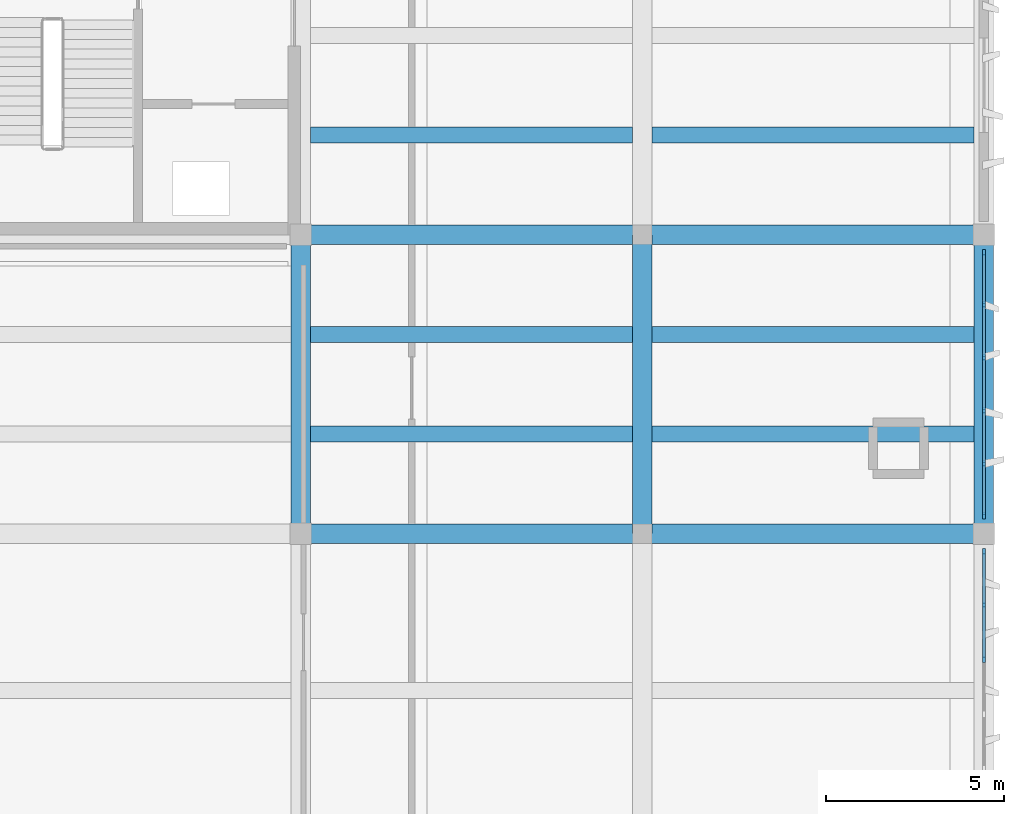
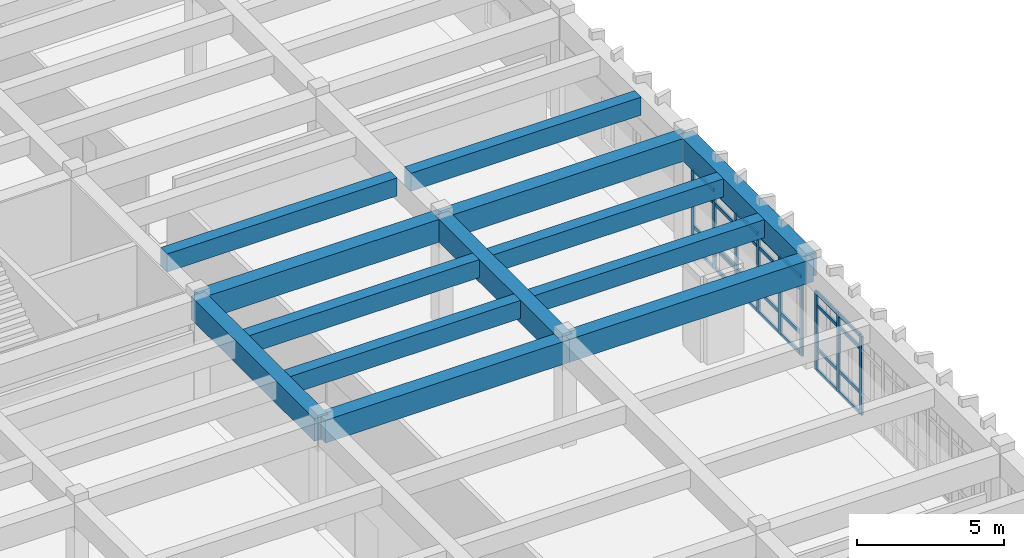
# One storey, part 38 of 86: 37 members, 13 beams, 2 elements without a shape of their own.
"""IFC4 building model written with IfcOpenShell, lengths in metres."""

import ifcopenshell
import ifcopenshell.guid

model = None  # the IFC model being written
_history = None  # IfcOwnerHistory: only IFC2X3 demands one
_inside = {}  # id of a spatial element -> (the spatial element, [elements in it])
_under = {}  # id of a project, library or spatial element -> (it, [spatial elements below it])
_declared = {}  # id of a project -> (the project, [libraries it declares])
_typed = {}  # id of a type object -> (the type object, [elements of that type])
_made_of = {}  # id of a material, layer set ... -> (it, [elements and type objects made of it])


def new_model(schema):
    """Start an empty IFC model of exactly this schema.

    Asked for "IFC4X3", IfcOpenShell would pick the latest addendum, in which some entities
    have other attributes; the version numbers below select the first issue.
    IFC2X3 requires an IfcOwnerHistory on every rooted entity: one is made here for all.
    """
    global model, _history
    if schema == "IFC4X3":
        model = ifcopenshell.file(schema_version=(4, 3, 0, 0))
    else:
        model = ifcopenshell.file(schema=schema)
    _inside.clear()
    _under.clear()
    _declared.clear()
    _typed.clear()
    _made_of.clear()
    _history = None
    if model.schema == "IFC2X3":
        org = make("IfcOrganization", Name="unknown")
        user = make(
            "IfcPersonAndOrganization",
            ThePerson=make("IfcPerson", FamilyName="unknown"),
            TheOrganization=org,
        )
        app = make(
            "IfcApplication",
            ApplicationDeveloper=org,
            Version="unknown",
            ApplicationFullName="unknown",
            ApplicationIdentifier="unknown",
        )
        _history = make(
            "IfcOwnerHistory",
            OwningUser=user,
            OwningApplication=app,
            ChangeAction="ADDED",
            CreationDate=0,
        )
    return model


def make(cls, **values):
    """One entity of the class cls with the attributes given. An attribute that is None is left unset."""
    return model.create_entity(
        cls, **{name: value for name, value in values.items() if value is not None}
    )


def rooted(cls, **values):
    """An entity with a GlobalId (a new one), such as an element, a storey or a relation."""
    return make(cls, GlobalId=ifcopenshell.guid.new(), OwnerHistory=_history, **values)


def si_unit(unit_type, name, prefix=None):
    """IfcSIUnit, for example si_unit("LENGTHUNIT", "METRE", prefix="MILLI")."""
    return make("IfcSIUnit", UnitType=unit_type, Prefix=prefix, Name=name)


def assignment(units):
    """IfcUnitAssignment: the units of a project."""
    return None if units is None else make("IfcUnitAssignment", Units=units)


def point(xyz):
    """IfcCartesianPoint."""
    return None if xyz is None else make("IfcCartesianPoint", Coordinates=xyz)


def direction(xyz):
    """IfcDirection."""
    return None if xyz is None else make("IfcDirection", DirectionRatios=xyz)


def frame(location, z_axis=None, x_axis=None):
    """IfcAxis2Placement3D, a coordinate frame: its origin and axes. An axis left out is left unset."""
    return make(
        "IfcAxis2Placement3D",
        Location=point(location),
        Axis=direction(z_axis),
        RefDirection=direction(x_axis),
    )


def frame_2d(location, x_axis=None):
    """IfcAxis2Placement2D, a coordinate frame in the plane: its origin and x axis."""
    return make(
        "IfcAxis2Placement2D", Location=point(location), RefDirection=direction(x_axis)
    )


def origin():
    """The frame at (0, 0, 0) with its axes left unset."""
    return frame((0.0, 0.0, 0.0))


def origin_2d():
    """The frame at (0, 0) in the plane with its x axis left unset."""
    return frame_2d((0.0, 0.0))


def place(relative_to, where):
    """IfcLocalPlacement: puts the frame where relative to a parent placement (None: the world)."""
    return make(
        "IfcLocalPlacement", PlacementRelTo=relative_to, RelativePlacement=where
    )


def context(
    kind, dimensions, precision=None, world=None, true_north=None, identifier=None
):
    """IfcGeometricRepresentationContext, for example the 3D "Model" context."""
    return make(
        "IfcGeometricRepresentationContext",
        ContextIdentifier=identifier,
        ContextType=kind,
        CoordinateSpaceDimension=dimensions,
        Precision=precision,
        WorldCoordinateSystem=world,
        TrueNorth=true_north,
    )


def subcontext(parent, identifier, kind, view, scale=None):
    """IfcGeometricRepresentationSubContext, for example "Body" below "Model"."""
    return make(
        "IfcGeometricRepresentationSubContext",
        ContextIdentifier=identifier,
        ContextType=kind,
        ParentContext=parent,
        TargetScale=scale,
        TargetView=view,
    )


def project(units=None, contexts=None):
    """IfcProject with its units and contexts."""
    return rooted(
        "IfcProject",
        Name="project",
        RepresentationContexts=contexts,
        UnitsInContext=assignment(units),
    )


def spatial(cls, under=None, at=None, **own):
    """A site, building, storey or space (cls), placed at a placement, below another one or the project."""
    s = rooted(cls, ObjectPlacement=at, **own)
    if under is not None:
        _under.setdefault(under.id(), (under, []))[1].append(s)
    return s


def profile(cls, at=None, kind="AREA", **sizes):
    """A parametric profile (cls). Its sizes go by their IFC names, for example OverallWidth=200.0."""
    return make(cls, ProfileType=kind, Position=at, **sizes)


def rectangle(**sizes):
    """IfcRectangleProfileDef."""
    return profile("IfcRectangleProfileDef", **sizes)


def extrude(swept, where, along, depth):
    """IfcExtrudedAreaSolid: the profile swept, set in the frame where, extruded along a direction by depth."""
    return make(
        "IfcExtrudedAreaSolid",
        SweptArea=swept,
        Position=where,
        ExtrudedDirection=direction(along),
        Depth=depth,
    )


def shape(context_of_items, identifier, shape_type, items):
    """IfcShapeRepresentation: the items that make up one representation, for example the "Body"."""
    return make(
        "IfcShapeRepresentation",
        ContextOfItems=context_of_items,
        RepresentationIdentifier=identifier,
        RepresentationType=shape_type,
        Items=items,
    )


def material(Name=None, Category=None):
    """IfcMaterial."""
    return make("IfcMaterial", Name=Name, Category=Category)


def layer(
    of_material, thickness, ventilated=None, Name=None, Category=None, Priority=None
):
    """IfcMaterialLayer: one layer of a wall or slab, of a material (None: an air gap)."""
    return make(
        "IfcMaterialLayer",
        Material=of_material,
        LayerThickness=thickness,
        IsVentilated=ventilated,
        Name=Name,
        Category=Category,
        Priority=Priority,
    )


def layer_set(layers, Name=None):
    """IfcMaterialLayerSet."""
    return make("IfcMaterialLayerSet", MaterialLayers=layers, LayerSetName=Name)


def material_profile(
    of_material, cross_section, Name=None, Category=None, Priority=None
):
    """IfcMaterialProfile: a cross section and its material."""
    return make(
        "IfcMaterialProfile",
        Name=Name,
        Material=of_material,
        Profile=cross_section,
        Priority=Priority,
        Category=Category,
    )


def profile_set(profiles, Name=None, composite=None):
    """IfcMaterialProfileSet."""
    return make(
        "IfcMaterialProfileSet",
        Name=Name,
        MaterialProfiles=profiles,
        CompositeProfile=composite,
    )


def made_of(thing, what):
    """Note that an element or type object is made of a material, layer set ...; save() writes the relation."""
    if what is not None:
        _made_of.setdefault(what.id(), (what, []))[1].append(thing)
    return thing


def type_object(cls, material=None, **own):
    """A type object (cls), such as IfcWallType, which elements share."""
    return made_of(rooted(cls, **own), material)


def element(
    cls,
    number,
    at=None,
    inside=None,
    cuts=None,
    type_object=None,
    material=None,
    context=None,
    identifier="Body",
    shape_type=None,
    held_by="IfcProductDefinitionShape",
    body=None,
    shapes=None,
    **own,
):
    """One element of the class cls, such as IfcWall. Its Tag is "e" and its number.

    at: its placement. inside: the storey or other place that contains it. cuts: it is an
    opening in that element (IfcRelVoidsElement). A single representation is given by context,
    identifier, shape_type and body (its items); several are given by shapes. held_by: the class
    of the entity that holds the representations. save() writes the other relations.
    """
    e = rooted(cls, Tag="e%d" % number, ObjectPlacement=at, **own)
    if body is not None:
        shapes = [shape(context, identifier, shape_type, body)]
    if shapes is not None:
        e.Representation = make(held_by, Representations=shapes)
    if inside is not None:
        _inside.setdefault(inside.id(), (inside, []))[1].append(e)
    if cuts is not None:
        rooted(
            "IfcRelVoidsElement", RelatingBuildingElement=cuts, RelatedOpeningElement=e
        )
    if type_object is not None:
        _typed.setdefault(type_object.id(), (type_object, []))[1].append(e)
    return made_of(e, material)


def aggregate(whole, parts):
    """IfcRelAggregates: a whole, such as a stair, and the parts it consists of."""
    return rooted("IfcRelAggregates", RelatingObject=whole, RelatedObjects=parts)


def save(model, path):
    """Write the relations noted so far, then the file.

    IfcRelAggregates (storeys below a building ...), IfcRelContainedInSpatialStructure (elements
    in a storey), IfcRelDefinesByType, IfcRelAssociatesMaterial and IfcRelDeclares: one each for
    every whole, place, type object, material and project.
    """
    for whole, parts in _under.values():
        aggregate(whole, parts)
    for where, things in _inside.values():
        rooted(
            "IfcRelContainedInSpatialStructure",
            RelatedElements=things,
            RelatingStructure=where,
        )
    for kind, things in _typed.values():
        rooted("IfcRelDefinesByType", RelatedObjects=things, RelatingType=kind)
    for what, things in _made_of.values():
        rooted("IfcRelAssociatesMaterial", RelatedObjects=things, RelatingMaterial=what)
    for by, libraries in _declared.values():
        rooted("IfcRelDeclares", RelatingContext=by, RelatedDefinitions=libraries)
    model.write(path)


model = new_model("IFC4")

# Units and contexts
model_context = context("Model", 3, precision=1e-05, world=origin(), true_north=direction((0.0, 1.0)))
body_context = subcontext(model_context, "Body", "Model", "MODEL_VIEW")
ifc_project = project(units=[si_unit("LENGTHUNIT", "METRE"), si_unit("AREAUNIT", "SQUARE_METRE"), si_unit("VOLUMEUNIT", "CUBIC_METRE"), si_unit("PLANEANGLEUNIT", "RADIAN"), si_unit("MASSUNIT", "GRAM", prefix="KILO")], contexts=[model_context])

# Site, building, storey
site_placement = place(None, origin())
site = spatial("IfcSite", under=ifc_project, at=site_placement, CompositionType="ELEMENT")
building_placement = place(site_placement, origin())
building = spatial("IfcBuilding", under=site, at=building_placement, Name="Kolvemor Railside Polytechnic", CompositionType="ELEMENT")
storey_placement = place(building_placement, frame((0.0, 0.0, 5.39990234375)))
storey = spatial("IfcBuildingStorey", under=building, at=storey_placement, Name="L01", CompositionType="ELEMENT", Elevation=5.39990234375)

# Beams
ifc_material_1 = material(Name="Concrete C40/50", Category="concrete")
ifc_material_profile_1 = material_profile(ifc_material_1, rectangle(XDim=0.550048828125, YDim=0.949951171875, at=origin_2d()), Name="RC550x950")
ifc_profile_set_1 = profile_set([ifc_material_profile_1], Name="Concrete C40/50")
beam_type_1 = type_object("IfcBeamType", Name="BM-RC-GIRD", PredefinedType="BEAM", material=ifc_profile_set_1)
beam_1_placement = place(storey_placement, frame((163.199951171875, 51.60009765625, 4.005126953125), z_axis=(1.0, 0.0, 0.0), x_axis=(0.0, 1.0, 0.0)))
element("IfcBeam", 1, at=beam_1_placement, inside=storey, type_object=beam_type_1, Name="Primary Girder L02-GX 0917", PredefinedType="BEAM", context=body_context, shape_type="SweptSolid", body=[
    extrude(rectangle(XDim=0.550048828125, YDim=0.949951171875, at=origin_2d()), origin(), (0.0, 0.0, 1.0), 9.60009765625),
])
beam_2_placement = place(storey_placement, frame((172.800048828125, 51.60009765625, 4.005126953125), z_axis=(1.0, 0.0, 0.0), x_axis=(0.0, 1.0, 0.0)))
element("IfcBeam", 2, at=beam_2_placement, inside=storey, type_object=beam_type_1, Name="Primary Girder L02-GX 0918", PredefinedType="BEAM", context=body_context, shape_type="SweptSolid", body=[
    extrude(rectangle(XDim=0.550048828125, YDim=0.949951171875, at=origin_2d()), origin(), (0.0, 0.0, 1.0), 9.599853515625),
])
beam_3_placement = place(storey_placement, frame((163.199951171875, 60.0, 4.005126953125), z_axis=(1.0, 0.0, 0.0), x_axis=(0.0, 1.0, 0.0)))
element("IfcBeam", 3, at=beam_3_placement, inside=storey, type_object=beam_type_1, Name="Primary Girder L02-GX 0921", PredefinedType="BEAM", context=body_context, shape_type="SweptSolid", body=[
    extrude(rectangle(XDim=0.550048828125, YDim=0.949951171875, at=origin_2d()), origin(), (0.0, 0.0, 1.0), 9.60009765625),
])
beam_4_placement = place(storey_placement, frame((172.800048828125, 60.0, 4.005126953125), z_axis=(1.0, 0.0, 0.0), x_axis=(0.0, 1.0, 0.0)))
element("IfcBeam", 4, at=beam_4_placement, inside=storey, type_object=beam_type_1, Name="Primary Girder L02-GX 0922", PredefinedType="BEAM", context=body_context, shape_type="SweptSolid", body=[
    extrude(rectangle(XDim=0.550048828125, YDim=0.949951171875, at=origin_2d()), origin(), (0.0, 0.0, 1.0), 9.599853515625),
])
for number, where, z_axis, x_axis, name in (
    (5, (163.199951171875, 51.60009765625, 4.005126953125), (0.0, 1.0, 0.0), (-1.0, 0.0, 0.0), "Primary Girder L02-GY 0958"),
    (6, (172.800048828125, 51.60009765625, 4.005126953125), (0.0, 1.0, 0.0), (-1.0, 0.0, 0.0), "Primary Girder L02-GY 0967"),
    (7, (182.39990234375, 51.60009765625, 4.005126953125), (0.0, 1.0, 0.0), (-1.0, 0.0, 0.0), "Primary Girder L02-GY 0976"),
):
    element("IfcBeam", number, at=place(storey_placement, frame(where, z_axis=z_axis, x_axis=x_axis)), inside=storey, type_object=beam_type_1, Name=name, PredefinedType="BEAM", context=body_context, shape_type="SweptSolid", body=[
        extrude(rectangle(XDim=0.550048828125, YDim=0.949951171875, at=origin_2d()), origin(), (0.0, 0.0, 1.0), 8.39990234375),
    ])
ifc_material_2 = material(Name="Concrete C40/50", Category="concrete")
ifc_material_profile_2 = material_profile(ifc_material_2, rectangle(XDim=0.449951171875, YDim=0.75, at=origin_2d()), Name="RC450x750")
ifc_profile_set_2 = profile_set([ifc_material_profile_2], Name="Concrete C40/50")
beam_type_2 = type_object("IfcBeamType", Name="BM-RC-SEC", PredefinedType="JOIST", material=ifc_profile_set_2)
for number, where, z_axis, x_axis, name in (
    (8, (163.47509765625, 54.39990234375, 4.10498046875), (1.0, 0.0, 0.0), (0.0, 1.0, 0.0), "Floor Joist L02-J1022"),
    (9, (163.47509765625, 57.199951171875, 4.10498046875), (1.0, 0.0, 0.0), (0.0, 1.0, 0.0), "Floor Joist L02-J1023"),
    (10, (163.47509765625, 62.800048828125, 4.10498046875), (1.0, 0.0, 0.0), (0.0, 1.0, 0.0), "Floor Joist L02-J1024"),
):
    element("IfcBeam", number, at=place(storey_placement, frame(where, z_axis=z_axis, x_axis=x_axis)), inside=storey, type_object=beam_type_2, Name=name, PredefinedType="JOIST", context=body_context, shape_type="SweptSolid", body=[
        extrude(rectangle(XDim=0.449951171875, YDim=0.75, at=origin_2d()), origin(), (0.0, 0.0, 1.0), 9.0498046875),
    ])
for number, where, z_axis, x_axis, name in (
    (11, (173.074951171875, 54.39990234375, 4.10498046875), (1.0, 0.0, 0.0), (0.0, 1.0, 0.0), "Floor Joist L02-J1040"),
    (12, (173.074951171875, 57.199951171875, 4.10498046875), (1.0, 0.0, 0.0), (0.0, 1.0, 0.0), "Floor Joist L02-J1041"),
    (13, (173.074951171875, 62.800048828125, 4.10498046875), (1.0, 0.0, 0.0), (0.0, 1.0, 0.0), "Floor Joist L02-J1042"),
):
    element("IfcBeam", number, at=place(storey_placement, frame(where, z_axis=z_axis, x_axis=x_axis)), inside=storey, type_object=beam_type_2, Name=name, PredefinedType="JOIST", context=body_context, shape_type="SweptSolid", body=[
        extrude(rectangle(XDim=0.449951171875, YDim=0.75, at=origin_2d()), origin(), (0.0, 0.0, 1.0), 9.050048828125),
    ])

# Curtain wall, members
ifc_material_3 = material(Name="Anodised marine aluminium and laminated low-E glass", Category="aluminium")
ifc_layer = layer(ifc_material_3, 0.179931640625, Name="CW-UNIT-STD")
ifc_layer_set = layer_set([ifc_layer], Name="Anodised marine aluminium and laminated low-E glass")
curtain_wall_type = type_object("IfcCurtainWallType", Name="CW-UNIT-STD", PredefinedType="USERDEFINED", material=ifc_layer_set)
curtain_wall_1_placement = place(storey_placement, origin())
curtain_wall_1 = element("IfcCurtainWall", 14, at=curtain_wall_1_placement, inside=storey, type_object=curtain_wall_type, Name="Curtain Wall L01-061", ObjectType="UNITISED CURTAIN WALL", PredefinedType="USERDEFINED")
ifc_material_4 = material(Name="Anodised marine aluminium 6063-T6", Category="aluminium")
ifc_material_profile_3 = material_profile(ifc_material_4, rectangle(XDim=0.074951171875, YDim=0.179931640625, at=origin_2d()), Name="CW-MUL-75x180")
ifc_profile_set_3 = profile_set([ifc_material_profile_3], Name="Anodised marine aluminium 6063-T6")
member_type_1 = type_object("IfcMemberType", Name="CWM-75x180", PredefinedType="MULLION", material=ifc_profile_set_3)
member_1_placement = place(storey_placement, frame((182.39990234375, 48.06494140625, 0.0), z_axis=(0.0, 0.0, 1.0), x_axis=(-1.0, 0.0, 0.0)))
member_1 = element("IfcMember", 15, at=member_1_placement, type_object=member_type_1, Name="CW-STD mullion 7", PredefinedType="MULLION", context=body_context, shape_type="SweptSolid", body=[
    extrude(rectangle(XDim=0.074951171875, YDim=0.179931640625, at=origin_2d()), origin(), (0.0, 0.0, 1.0), 3.280029296875),
])
member_2_placement = place(storey_placement, frame((182.39990234375, 49.597412109375, 0.0), z_axis=(0.0, 0.0, 1.0), x_axis=(-1.0, 0.0, 0.0)))
member_2 = element("IfcMember", 16, at=member_2_placement, type_object=member_type_1, Name="CW-STD mullion 8", PredefinedType="MULLION", context=body_context, shape_type="SweptSolid", body=[
    extrude(rectangle(XDim=0.074951171875, YDim=0.179931640625, at=origin_2d()), origin(), (0.0, 0.0, 1.0), 3.280029296875),
])
member_3_placement = place(storey_placement, frame((182.39990234375, 51.092529296875, 0.0), z_axis=(0.0, 0.0, 1.0), x_axis=(-1.0, 0.0, 0.0)))
member_3 = element("IfcMember", 17, at=member_3_placement, type_object=member_type_1, Name="CW-STD mullion 9", PredefinedType="MULLION", context=body_context, shape_type="SweptSolid", body=[
    extrude(rectangle(XDim=0.074951171875, YDim=0.179931640625, at=origin_2d()), origin(), (0.0, 0.0, 1.0), 3.280029296875),
])

curtain_wall_2_placement = place(storey_placement, origin())
curtain_wall_2 = element("IfcCurtainWall", 18, at=curtain_wall_2_placement, inside=storey, type_object=curtain_wall_type, Name="Curtain Wall L01-071", ObjectType="UNITISED CURTAIN WALL", PredefinedType="USERDEFINED")
member_4_placement = place(storey_placement, frame((182.39990234375, 52.107421875, 0.0), z_axis=(0.0, 0.0, 1.0), x_axis=(-1.0, 0.0, 0.0)))
member_4 = element("IfcMember", 19, at=member_4_placement, type_object=member_type_1, Name="CW-STD mullion 1", PredefinedType="MULLION", context=body_context, shape_type="SweptSolid", body=[
    extrude(rectangle(XDim=0.074951171875, YDim=0.179931640625, at=origin_2d()), origin(), (0.0, 0.0, 1.0), 3.280029296875),
])
member_5_placement = place(storey_placement, frame((182.39990234375, 53.56201171875, 0.0), z_axis=(0.0, 0.0, 1.0), x_axis=(-1.0, 0.0, 0.0)))
member_5 = element("IfcMember", 20, at=member_5_placement, type_object=member_type_1, Name="CW-STD mullion 2", PredefinedType="MULLION", context=body_context, shape_type="SweptSolid", body=[
    extrude(rectangle(XDim=0.074951171875, YDim=0.179931640625, at=origin_2d()), origin(), (0.0, 0.0, 1.0), 3.280029296875),
])
member_6_placement = place(storey_placement, frame((182.39990234375, 55.053955078125, 0.0), z_axis=(0.0, 0.0, 1.0), x_axis=(-1.0, 0.0, 0.0)))
member_6 = element("IfcMember", 21, at=member_6_placement, type_object=member_type_1, Name="CW-STD mullion 3", PredefinedType="MULLION", context=body_context, shape_type="SweptSolid", body=[
    extrude(rectangle(XDim=0.074951171875, YDim=0.179931640625, at=origin_2d()), origin(), (0.0, 0.0, 1.0), 3.280029296875),
])
member_7_placement = place(storey_placement, frame((182.39990234375, 56.5458984375, 0.0), z_axis=(0.0, 0.0, 1.0), x_axis=(-1.0, 0.0, 0.0)))
member_7 = element("IfcMember", 22, at=member_7_placement, type_object=member_type_1, Name="CW-STD mullion 4", PredefinedType="MULLION", context=body_context, shape_type="SweptSolid", body=[
    extrude(rectangle(XDim=0.074951171875, YDim=0.179931640625, at=origin_2d()), origin(), (0.0, 0.0, 1.0), 3.280029296875),
])
member_8_placement = place(storey_placement, frame((182.39990234375, 58.0380859375, 0.0), z_axis=(0.0, 0.0, 1.0), x_axis=(-1.0, 0.0, 0.0)))
member_8 = element("IfcMember", 23, at=member_8_placement, type_object=member_type_1, Name="CW-STD mullion 5", PredefinedType="MULLION", context=body_context, shape_type="SweptSolid", body=[
    extrude(rectangle(XDim=0.074951171875, YDim=0.179931640625, at=origin_2d()), origin(), (0.0, 0.0, 1.0), 3.280029296875),
])
member_9_placement = place(storey_placement, frame((182.39990234375, 59.492431640625, 0.0), z_axis=(0.0, 0.0, 1.0), x_axis=(-1.0, 0.0, 0.0)))
member_9 = element("IfcMember", 24, at=member_9_placement, type_object=member_type_1, Name="CW-STD mullion 6", PredefinedType="MULLION", context=body_context, shape_type="SweptSolid", body=[
    extrude(rectangle(XDim=0.074951171875, YDim=0.179931640625, at=origin_2d()), origin(), (0.0, 0.0, 1.0), 3.280029296875),
])

# Member
ifc_material_5 = material(Name="Anodised marine aluminium 6063-T6", Category="aluminium")
ifc_material_profile_4 = material_profile(ifc_material_5, rectangle(XDim=0.074951171875, YDim=0.139892578125, at=origin_2d()), Name="CW-TRN-75x140")
ifc_profile_set_4 = profile_set([ifc_material_profile_4], Name="Anodised marine aluminium 6063-T6")
member_type_2 = type_object("IfcMemberType", Name="CWT-75x140", PredefinedType="USERDEFINED", material=ifc_profile_set_4)
member_10_placement = place(storey_placement, frame((182.39990234375, 48.1025390625, 0.03759765625), z_axis=(0.0, 1.0, 0.0), x_axis=(-1.0, 0.0, 0.0)))
member_10 = element("IfcMember", 25, at=member_10_placement, type_object=member_type_2, Name="CW-STD transom 7.1", ObjectType="TRANSOM", PredefinedType="USERDEFINED", context=body_context, shape_type="SweptSolid", body=[
    extrude(rectangle(XDim=0.074951171875, YDim=0.139892578125, at=origin_2d()), origin(), (0.0, 0.0, 1.0), 1.45751953125),
])

member_11_placement = place(storey_placement, frame((182.39990234375, 48.1025390625, 0.900146484375), z_axis=(0.0, 1.0, 0.0), x_axis=(-1.0, 0.0, 0.0)))
member_11 = element("IfcMember", 26, at=member_11_placement, type_object=member_type_2, Name="CW-STD transom 7.2", ObjectType="TRANSOM", PredefinedType="USERDEFINED", context=body_context, shape_type="SweptSolid", body=[
    extrude(rectangle(XDim=0.074951171875, YDim=0.139892578125, at=origin_2d()), origin(), (0.0, 0.0, 1.0), 1.45751953125),
])

member_12_placement = place(storey_placement, frame((182.39990234375, 48.1025390625, 2.72998046875), z_axis=(0.0, 1.0, 0.0), x_axis=(-1.0, 0.0, 0.0)))
member_12 = element("IfcMember", 27, at=member_12_placement, type_object=member_type_2, Name="CW-STD transom 7.3", ObjectType="TRANSOM", PredefinedType="USERDEFINED", context=body_context, shape_type="SweptSolid", body=[
    extrude(rectangle(XDim=0.074951171875, YDim=0.139892578125, at=origin_2d()), origin(), (0.0, 0.0, 1.0), 1.45751953125),
])

member_13_placement = place(storey_placement, frame((182.39990234375, 48.1025390625, 3.24267578125), z_axis=(0.0, 1.0, 0.0), x_axis=(-1.0, 0.0, 0.0)))
member_13 = element("IfcMember", 28, at=member_13_placement, type_object=member_type_2, Name="CW-STD transom 7.4", ObjectType="TRANSOM", PredefinedType="USERDEFINED", context=body_context, shape_type="SweptSolid", body=[
    extrude(rectangle(XDim=0.074951171875, YDim=0.139892578125, at=origin_2d()), origin(), (0.0, 0.0, 1.0), 1.45751953125),
])

member_14_placement = place(storey_placement, frame((182.39990234375, 49.635009765625, 0.03759765625), z_axis=(0.0, 1.0, 0.0), x_axis=(-1.0, 0.0, 0.0)))
member_14 = element("IfcMember", 29, at=member_14_placement, type_object=member_type_2, Name="CW-STD transom 8.1", ObjectType="TRANSOM", PredefinedType="USERDEFINED", context=body_context, shape_type="SweptSolid", body=[
    extrude(rectangle(XDim=0.074951171875, YDim=0.139892578125, at=origin_2d()), origin(), (0.0, 0.0, 1.0), 1.419921875),
])

member_15_placement = place(storey_placement, frame((182.39990234375, 49.635009765625, 0.900146484375), z_axis=(0.0, 1.0, 0.0), x_axis=(-1.0, 0.0, 0.0)))
member_15 = element("IfcMember", 30, at=member_15_placement, type_object=member_type_2, Name="CW-STD transom 8.2", ObjectType="TRANSOM", PredefinedType="USERDEFINED", context=body_context, shape_type="SweptSolid", body=[
    extrude(rectangle(XDim=0.074951171875, YDim=0.139892578125, at=origin_2d()), origin(), (0.0, 0.0, 1.0), 1.419921875),
])

member_16_placement = place(storey_placement, frame((182.39990234375, 49.635009765625, 2.72998046875), z_axis=(0.0, 1.0, 0.0), x_axis=(-1.0, 0.0, 0.0)))
member_16 = element("IfcMember", 31, at=member_16_placement, type_object=member_type_2, Name="CW-STD transom 8.3", ObjectType="TRANSOM", PredefinedType="USERDEFINED", context=body_context, shape_type="SweptSolid", body=[
    extrude(rectangle(XDim=0.074951171875, YDim=0.139892578125, at=origin_2d()), origin(), (0.0, 0.0, 1.0), 1.419921875),
])

member_17_placement = place(storey_placement, frame((182.39990234375, 49.635009765625, 3.24267578125), z_axis=(0.0, 1.0, 0.0), x_axis=(-1.0, 0.0, 0.0)))
member_17 = element("IfcMember", 32, at=member_17_placement, type_object=member_type_2, Name="CW-STD transom 8.4", ObjectType="TRANSOM", PredefinedType="USERDEFINED", context=body_context, shape_type="SweptSolid", body=[
    extrude(rectangle(XDim=0.074951171875, YDim=0.139892578125, at=origin_2d()), origin(), (0.0, 0.0, 1.0), 1.419921875),
])

aggregate(curtain_wall_1, [member_1, member_2, member_3, member_10, member_11, member_12, member_13, member_14, member_15, member_16, member_17])

member_18_placement = place(storey_placement, frame((182.39990234375, 52.14501953125, 0.03759765625), z_axis=(0.0, 1.0, 0.0), x_axis=(-1.0, 0.0, 0.0)))
member_18 = element("IfcMember", 33, at=member_18_placement, type_object=member_type_2, Name="CW-STD transom 1.1", ObjectType="TRANSOM", PredefinedType="USERDEFINED", context=body_context, shape_type="SweptSolid", body=[
    extrude(rectangle(XDim=0.074951171875, YDim=0.139892578125, at=origin_2d()), origin(), (0.0, 0.0, 1.0), 1.37939453125),
])

member_19_placement = place(storey_placement, frame((182.39990234375, 52.14501953125, 0.900146484375), z_axis=(0.0, 1.0, 0.0), x_axis=(-1.0, 0.0, 0.0)))
member_19 = element("IfcMember", 34, at=member_19_placement, type_object=member_type_2, Name="CW-STD transom 1.2", ObjectType="TRANSOM", PredefinedType="USERDEFINED", context=body_context, shape_type="SweptSolid", body=[
    extrude(rectangle(XDim=0.074951171875, YDim=0.139892578125, at=origin_2d()), origin(), (0.0, 0.0, 1.0), 1.37939453125),
])

member_20_placement = place(storey_placement, frame((182.39990234375, 52.14501953125, 2.72998046875), z_axis=(0.0, 1.0, 0.0), x_axis=(-1.0, 0.0, 0.0)))
member_20 = element("IfcMember", 35, at=member_20_placement, type_object=member_type_2, Name="CW-STD transom 1.3", ObjectType="TRANSOM", PredefinedType="USERDEFINED", context=body_context, shape_type="SweptSolid", body=[
    extrude(rectangle(XDim=0.074951171875, YDim=0.139892578125, at=origin_2d()), origin(), (0.0, 0.0, 1.0), 1.37939453125),
])

member_21_placement = place(storey_placement, frame((182.39990234375, 52.14501953125, 3.24267578125), z_axis=(0.0, 1.0, 0.0), x_axis=(-1.0, 0.0, 0.0)))
member_21 = element("IfcMember", 36, at=member_21_placement, type_object=member_type_2, Name="CW-STD transom 1.4", ObjectType="TRANSOM", PredefinedType="USERDEFINED", context=body_context, shape_type="SweptSolid", body=[
    extrude(rectangle(XDim=0.074951171875, YDim=0.139892578125, at=origin_2d()), origin(), (0.0, 0.0, 1.0), 1.37939453125),
])

member_22_placement = place(storey_placement, frame((182.39990234375, 53.599609375, 0.03759765625), z_axis=(0.0, 1.0, 0.0), x_axis=(-1.0, 0.0, 0.0)))
member_22 = element("IfcMember", 37, at=member_22_placement, type_object=member_type_2, Name="CW-STD transom 2.1", ObjectType="TRANSOM", PredefinedType="USERDEFINED", context=body_context, shape_type="SweptSolid", body=[
    extrude(rectangle(XDim=0.074951171875, YDim=0.139892578125, at=origin_2d()), origin(), (0.0, 0.0, 1.0), 1.4169921875),
])

member_23_placement = place(storey_placement, frame((182.39990234375, 53.599609375, 0.900146484375), z_axis=(0.0, 1.0, 0.0), x_axis=(-1.0, 0.0, 0.0)))
member_23 = element("IfcMember", 38, at=member_23_placement, type_object=member_type_2, Name="CW-STD transom 2.2", ObjectType="TRANSOM", PredefinedType="USERDEFINED", context=body_context, shape_type="SweptSolid", body=[
    extrude(rectangle(XDim=0.074951171875, YDim=0.139892578125, at=origin_2d()), origin(), (0.0, 0.0, 1.0), 1.4169921875),
])

member_24_placement = place(storey_placement, frame((182.39990234375, 53.599609375, 2.72998046875), z_axis=(0.0, 1.0, 0.0), x_axis=(-1.0, 0.0, 0.0)))
member_24 = element("IfcMember", 39, at=member_24_placement, type_object=member_type_2, Name="CW-STD transom 2.3", ObjectType="TRANSOM", PredefinedType="USERDEFINED", context=body_context, shape_type="SweptSolid", body=[
    extrude(rectangle(XDim=0.074951171875, YDim=0.139892578125, at=origin_2d()), origin(), (0.0, 0.0, 1.0), 1.4169921875),
])

member_25_placement = place(storey_placement, frame((182.39990234375, 53.599609375, 3.24267578125), z_axis=(0.0, 1.0, 0.0), x_axis=(-1.0, 0.0, 0.0)))
member_25 = element("IfcMember", 40, at=member_25_placement, type_object=member_type_2, Name="CW-STD transom 2.4", ObjectType="TRANSOM", PredefinedType="USERDEFINED", context=body_context, shape_type="SweptSolid", body=[
    extrude(rectangle(XDim=0.074951171875, YDim=0.139892578125, at=origin_2d()), origin(), (0.0, 0.0, 1.0), 1.4169921875),
])

member_26_placement = place(storey_placement, frame((182.39990234375, 55.091552734375, 0.03759765625), z_axis=(0.0, 1.0, 0.0), x_axis=(-1.0, 0.0, 0.0)))
member_26 = element("IfcMember", 41, at=member_26_placement, type_object=member_type_2, Name="CW-STD transom 3.1", ObjectType="TRANSOM", PredefinedType="USERDEFINED", context=body_context, shape_type="SweptSolid", body=[
    extrude(rectangle(XDim=0.074951171875, YDim=0.139892578125, at=origin_2d()), origin(), (0.0, 0.0, 1.0), 1.4169921875),
])

member_27_placement = place(storey_placement, frame((182.39990234375, 55.091552734375, 0.900146484375), z_axis=(0.0, 1.0, 0.0), x_axis=(-1.0, 0.0, 0.0)))
member_27 = element("IfcMember", 42, at=member_27_placement, type_object=member_type_2, Name="CW-STD transom 3.2", ObjectType="TRANSOM", PredefinedType="USERDEFINED", context=body_context, shape_type="SweptSolid", body=[
    extrude(rectangle(XDim=0.074951171875, YDim=0.139892578125, at=origin_2d()), origin(), (0.0, 0.0, 1.0), 1.4169921875),
])

member_28_placement = place(storey_placement, frame((182.39990234375, 55.091552734375, 2.72998046875), z_axis=(0.0, 1.0, 0.0), x_axis=(-1.0, 0.0, 0.0)))
member_28 = element("IfcMember", 43, at=member_28_placement, type_object=member_type_2, Name="CW-STD transom 3.3", ObjectType="TRANSOM", PredefinedType="USERDEFINED", context=body_context, shape_type="SweptSolid", body=[
    extrude(rectangle(XDim=0.074951171875, YDim=0.139892578125, at=origin_2d()), origin(), (0.0, 0.0, 1.0), 1.4169921875),
])

member_29_placement = place(storey_placement, frame((182.39990234375, 55.091552734375, 3.24267578125), z_axis=(0.0, 1.0, 0.0), x_axis=(-1.0, 0.0, 0.0)))
member_29 = element("IfcMember", 44, at=member_29_placement, type_object=member_type_2, Name="CW-STD transom 3.4", ObjectType="TRANSOM", PredefinedType="USERDEFINED", context=body_context, shape_type="SweptSolid", body=[
    extrude(rectangle(XDim=0.074951171875, YDim=0.139892578125, at=origin_2d()), origin(), (0.0, 0.0, 1.0), 1.4169921875),
])

member_30_placement = place(storey_placement, frame((182.39990234375, 56.58349609375, 0.03759765625), z_axis=(0.0, 1.0, 0.0), x_axis=(-1.0, 0.0, 0.0)))
member_30 = element("IfcMember", 45, at=member_30_placement, type_object=member_type_2, Name="CW-STD transom 4.1", ObjectType="TRANSOM", PredefinedType="USERDEFINED", context=body_context, shape_type="SweptSolid", body=[
    extrude(rectangle(XDim=0.074951171875, YDim=0.139892578125, at=origin_2d()), origin(), (0.0, 0.0, 1.0), 1.4169921875),
])

member_31_placement = place(storey_placement, frame((182.39990234375, 56.58349609375, 0.900146484375), z_axis=(0.0, 1.0, 0.0), x_axis=(-1.0, 0.0, 0.0)))
member_31 = element("IfcMember", 46, at=member_31_placement, type_object=member_type_2, Name="CW-STD transom 4.2", ObjectType="TRANSOM", PredefinedType="USERDEFINED", context=body_context, shape_type="SweptSolid", body=[
    extrude(rectangle(XDim=0.074951171875, YDim=0.139892578125, at=origin_2d()), origin(), (0.0, 0.0, 1.0), 1.4169921875),
])

member_32_placement = place(storey_placement, frame((182.39990234375, 56.58349609375, 2.72998046875), z_axis=(0.0, 1.0, 0.0), x_axis=(-1.0, 0.0, 0.0)))
member_32 = element("IfcMember", 47, at=member_32_placement, type_object=member_type_2, Name="CW-STD transom 4.3", ObjectType="TRANSOM", PredefinedType="USERDEFINED", context=body_context, shape_type="SweptSolid", body=[
    extrude(rectangle(XDim=0.074951171875, YDim=0.139892578125, at=origin_2d()), origin(), (0.0, 0.0, 1.0), 1.4169921875),
])

member_33_placement = place(storey_placement, frame((182.39990234375, 56.58349609375, 3.24267578125), z_axis=(0.0, 1.0, 0.0), x_axis=(-1.0, 0.0, 0.0)))
member_33 = element("IfcMember", 48, at=member_33_placement, type_object=member_type_2, Name="CW-STD transom 4.4", ObjectType="TRANSOM", PredefinedType="USERDEFINED", context=body_context, shape_type="SweptSolid", body=[
    extrude(rectangle(XDim=0.074951171875, YDim=0.139892578125, at=origin_2d()), origin(), (0.0, 0.0, 1.0), 1.4169921875),
])

member_34_placement = place(storey_placement, frame((182.39990234375, 58.075439453125, 0.03759765625), z_axis=(0.0, 1.0, 0.0), x_axis=(-1.0, 0.0, 0.0)))
member_34 = element("IfcMember", 49, at=member_34_placement, type_object=member_type_2, Name="CW-STD transom 5.1", ObjectType="TRANSOM", PredefinedType="USERDEFINED", context=body_context, shape_type="SweptSolid", body=[
    extrude(rectangle(XDim=0.074951171875, YDim=0.139892578125, at=origin_2d()), origin(), (0.0, 0.0, 1.0), 1.379638671875),
])

member_35_placement = place(storey_placement, frame((182.39990234375, 58.075439453125, 0.900146484375), z_axis=(0.0, 1.0, 0.0), x_axis=(-1.0, 0.0, 0.0)))
member_35 = element("IfcMember", 50, at=member_35_placement, type_object=member_type_2, Name="CW-STD transom 5.2", ObjectType="TRANSOM", PredefinedType="USERDEFINED", context=body_context, shape_type="SweptSolid", body=[
    extrude(rectangle(XDim=0.074951171875, YDim=0.139892578125, at=origin_2d()), origin(), (0.0, 0.0, 1.0), 1.379638671875),
])

member_36_placement = place(storey_placement, frame((182.39990234375, 58.075439453125, 2.72998046875), z_axis=(0.0, 1.0, 0.0), x_axis=(-1.0, 0.0, 0.0)))
member_36 = element("IfcMember", 51, at=member_36_placement, type_object=member_type_2, Name="CW-STD transom 5.3", ObjectType="TRANSOM", PredefinedType="USERDEFINED", context=body_context, shape_type="SweptSolid", body=[
    extrude(rectangle(XDim=0.074951171875, YDim=0.139892578125, at=origin_2d()), origin(), (0.0, 0.0, 1.0), 1.379638671875),
])

member_37_placement = place(storey_placement, frame((182.39990234375, 58.075439453125, 3.24267578125), z_axis=(0.0, 1.0, 0.0), x_axis=(-1.0, 0.0, 0.0)))
member_37 = element("IfcMember", 52, at=member_37_placement, type_object=member_type_2, Name="CW-STD transom 5.4", ObjectType="TRANSOM", PredefinedType="USERDEFINED", context=body_context, shape_type="SweptSolid", body=[
    extrude(rectangle(XDim=0.074951171875, YDim=0.139892578125, at=origin_2d()), origin(), (0.0, 0.0, 1.0), 1.379638671875),
])

aggregate(curtain_wall_2, [member_4, member_5, member_6, member_7, member_8, member_9, member_18, member_19, member_20, member_21, member_22, member_23, member_24, member_25, member_26, member_27, member_28, member_29, member_30, member_31, member_32, member_33, member_34, member_35, member_36, member_37])

save(model, "model.ifc")
